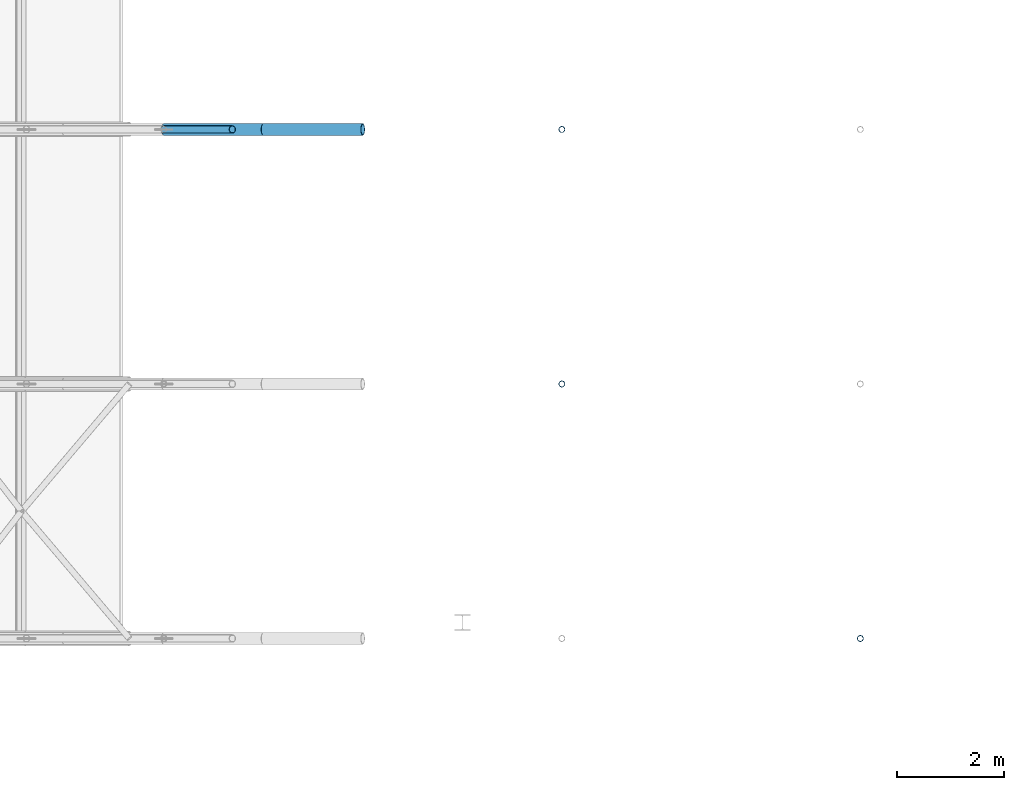
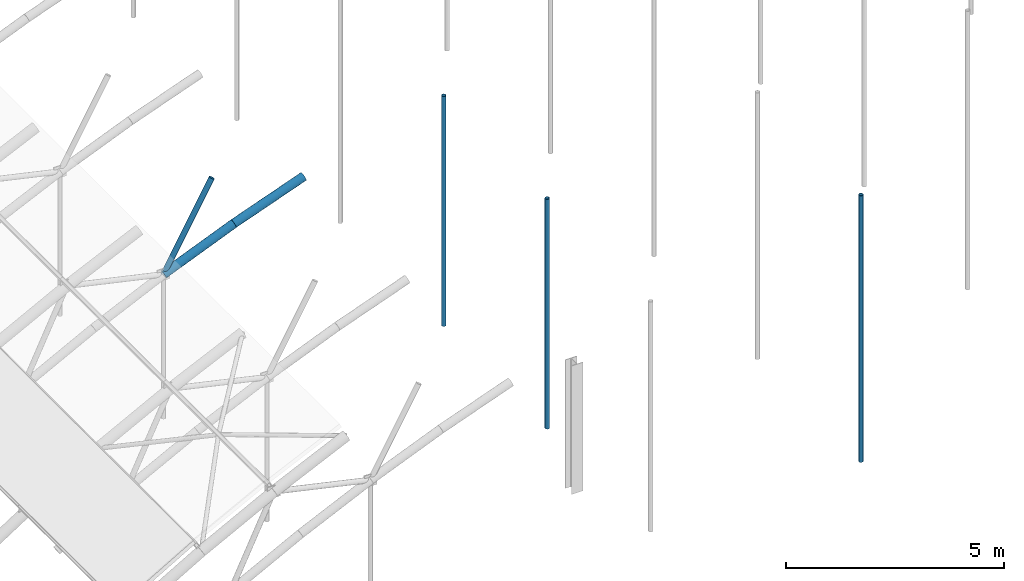
# One storey, part 8 of 50: 6 members.
"""IFC4 building model written with IfcOpenShell, lengths in metres."""

import ifcopenshell
import ifcopenshell.guid

model = None  # the IFC model being written
_history = None  # IfcOwnerHistory: only IFC2X3 demands one
_inside = {}  # id of a spatial element -> (the spatial element, [elements in it])
_under = {}  # id of a project, library or spatial element -> (it, [spatial elements below it])
_declared = {}  # id of a project -> (the project, [libraries it declares])
_typed = {}  # id of a type object -> (the type object, [elements of that type])
_made_of = {}  # id of a material, layer set ... -> (it, [elements and type objects made of it])


def new_model(schema):
    """Start an empty IFC model of exactly this schema.

    Asked for "IFC4X3", IfcOpenShell would pick the latest addendum, in which some entities
    have other attributes; the version numbers below select the first issue.
    IFC2X3 requires an IfcOwnerHistory on every rooted entity: one is made here for all.
    """
    global model, _history
    if schema == "IFC4X3":
        model = ifcopenshell.file(schema_version=(4, 3, 0, 0))
    else:
        model = ifcopenshell.file(schema=schema)
    _inside.clear()
    _under.clear()
    _declared.clear()
    _typed.clear()
    _made_of.clear()
    _history = None
    if model.schema == "IFC2X3":
        org = make("IfcOrganization", Name="unknown")
        user = make(
            "IfcPersonAndOrganization",
            ThePerson=make("IfcPerson", FamilyName="unknown"),
            TheOrganization=org,
        )
        app = make(
            "IfcApplication",
            ApplicationDeveloper=org,
            Version="unknown",
            ApplicationFullName="unknown",
            ApplicationIdentifier="unknown",
        )
        _history = make(
            "IfcOwnerHistory",
            OwningUser=user,
            OwningApplication=app,
            ChangeAction="ADDED",
            CreationDate=0,
        )
    return model


def make(cls, **values):
    """One entity of the class cls with the attributes given. An attribute that is None is left unset."""
    return model.create_entity(
        cls, **{name: value for name, value in values.items() if value is not None}
    )


def rooted(cls, **values):
    """An entity with a GlobalId (a new one), such as an element, a storey or a relation."""
    return make(cls, GlobalId=ifcopenshell.guid.new(), OwnerHistory=_history, **values)


def si_unit(unit_type, name, prefix=None):
    """IfcSIUnit, for example si_unit("LENGTHUNIT", "METRE", prefix="MILLI")."""
    return make("IfcSIUnit", UnitType=unit_type, Prefix=prefix, Name=name)


def assignment(units):
    """IfcUnitAssignment: the units of a project."""
    return None if units is None else make("IfcUnitAssignment", Units=units)


def point(xyz):
    """IfcCartesianPoint."""
    return None if xyz is None else make("IfcCartesianPoint", Coordinates=xyz)


def direction(xyz):
    """IfcDirection."""
    return None if xyz is None else make("IfcDirection", DirectionRatios=xyz)


def frame(location, z_axis=None, x_axis=None):
    """IfcAxis2Placement3D, a coordinate frame: its origin and axes. An axis left out is left unset."""
    return make(
        "IfcAxis2Placement3D",
        Location=point(location),
        Axis=direction(z_axis),
        RefDirection=direction(x_axis),
    )


def frame_2d(location, x_axis=None):
    """IfcAxis2Placement2D, a coordinate frame in the plane: its origin and x axis."""
    return make(
        "IfcAxis2Placement2D", Location=point(location), RefDirection=direction(x_axis)
    )


def origin():
    """The frame at (0, 0, 0) with its axes left unset."""
    return frame((0.0, 0.0, 0.0))


def origin_2d():
    """The frame at (0, 0) in the plane with its x axis left unset."""
    return frame_2d((0.0, 0.0))


def place(relative_to, where):
    """IfcLocalPlacement: puts the frame where relative to a parent placement (None: the world)."""
    return make(
        "IfcLocalPlacement", PlacementRelTo=relative_to, RelativePlacement=where
    )


def context(
    kind, dimensions, precision=None, world=None, true_north=None, identifier=None
):
    """IfcGeometricRepresentationContext, for example the 3D "Model" context."""
    return make(
        "IfcGeometricRepresentationContext",
        ContextIdentifier=identifier,
        ContextType=kind,
        CoordinateSpaceDimension=dimensions,
        Precision=precision,
        WorldCoordinateSystem=world,
        TrueNorth=true_north,
    )


def subcontext(parent, identifier, kind, view, scale=None):
    """IfcGeometricRepresentationSubContext, for example "Body" below "Model"."""
    return make(
        "IfcGeometricRepresentationSubContext",
        ContextIdentifier=identifier,
        ContextType=kind,
        ParentContext=parent,
        TargetScale=scale,
        TargetView=view,
    )


def project(units=None, contexts=None):
    """IfcProject with its units and contexts."""
    return rooted(
        "IfcProject",
        Name="project",
        RepresentationContexts=contexts,
        UnitsInContext=assignment(units),
    )


def spatial(cls, under=None, at=None, **own):
    """A site, building, storey or space (cls), placed at a placement, below another one or the project."""
    s = rooted(cls, ObjectPlacement=at, **own)
    if under is not None:
        _under.setdefault(under.id(), (under, []))[1].append(s)
    return s


def profile(cls, at=None, kind="AREA", **sizes):
    """A parametric profile (cls). Its sizes go by their IFC names, for example OverallWidth=200.0."""
    return make(cls, ProfileType=kind, Position=at, **sizes)


def hollow_circle(**sizes):
    """IfcCircleHollowProfileDef."""
    return profile("IfcCircleHollowProfileDef", **sizes)


def extrude(swept, where, along, depth):
    """IfcExtrudedAreaSolid: the profile swept, set in the frame where, extruded along a direction by depth."""
    return make(
        "IfcExtrudedAreaSolid",
        SweptArea=swept,
        Position=where,
        ExtrudedDirection=direction(along),
        Depth=depth,
    )


def shape(context_of_items, identifier, shape_type, items):
    """IfcShapeRepresentation: the items that make up one representation, for example the "Body"."""
    return make(
        "IfcShapeRepresentation",
        ContextOfItems=context_of_items,
        RepresentationIdentifier=identifier,
        RepresentationType=shape_type,
        Items=items,
    )


def material(Name=None, Category=None):
    """IfcMaterial."""
    return make("IfcMaterial", Name=Name, Category=Category)


def material_profile(
    of_material, cross_section, Name=None, Category=None, Priority=None
):
    """IfcMaterialProfile: a cross section and its material."""
    return make(
        "IfcMaterialProfile",
        Name=Name,
        Material=of_material,
        Profile=cross_section,
        Priority=Priority,
        Category=Category,
    )


def profile_set(profiles, Name=None, composite=None):
    """IfcMaterialProfileSet."""
    return make(
        "IfcMaterialProfileSet",
        Name=Name,
        MaterialProfiles=profiles,
        CompositeProfile=composite,
    )


def made_of(thing, what):
    """Note that an element or type object is made of a material, layer set ...; save() writes the relation."""
    if what is not None:
        _made_of.setdefault(what.id(), (what, []))[1].append(thing)
    return thing


def type_object(cls, material=None, **own):
    """A type object (cls), such as IfcWallType, which elements share."""
    return made_of(rooted(cls, **own), material)


def element(
    cls,
    number,
    at=None,
    inside=None,
    cuts=None,
    type_object=None,
    material=None,
    context=None,
    identifier="Body",
    shape_type=None,
    held_by="IfcProductDefinitionShape",
    body=None,
    shapes=None,
    **own,
):
    """One element of the class cls, such as IfcWall. Its Tag is "e" and its number.

    at: its placement. inside: the storey or other place that contains it. cuts: it is an
    opening in that element (IfcRelVoidsElement). A single representation is given by context,
    identifier, shape_type and body (its items); several are given by shapes. held_by: the class
    of the entity that holds the representations. save() writes the other relations.
    """
    e = rooted(cls, Tag="e%d" % number, ObjectPlacement=at, **own)
    if body is not None:
        shapes = [shape(context, identifier, shape_type, body)]
    if shapes is not None:
        e.Representation = make(held_by, Representations=shapes)
    if inside is not None:
        _inside.setdefault(inside.id(), (inside, []))[1].append(e)
    if cuts is not None:
        rooted(
            "IfcRelVoidsElement", RelatingBuildingElement=cuts, RelatedOpeningElement=e
        )
    if type_object is not None:
        _typed.setdefault(type_object.id(), (type_object, []))[1].append(e)
    return made_of(e, material)


def aggregate(whole, parts):
    """IfcRelAggregates: a whole, such as a stair, and the parts it consists of."""
    return rooted("IfcRelAggregates", RelatingObject=whole, RelatedObjects=parts)


def save(model, path):
    """Write the relations noted so far, then the file.

    IfcRelAggregates (storeys below a building ...), IfcRelContainedInSpatialStructure (elements
    in a storey), IfcRelDefinesByType, IfcRelAssociatesMaterial and IfcRelDeclares: one each for
    every whole, place, type object, material and project.
    """
    for whole, parts in _under.values():
        aggregate(whole, parts)
    for where, things in _inside.values():
        rooted(
            "IfcRelContainedInSpatialStructure",
            RelatedElements=things,
            RelatingStructure=where,
        )
    for kind, things in _typed.values():
        rooted("IfcRelDefinesByType", RelatedObjects=things, RelatingType=kind)
    for what, things in _made_of.values():
        rooted("IfcRelAssociatesMaterial", RelatedObjects=things, RelatingMaterial=what)
    for by, libraries in _declared.values():
        rooted("IfcRelDeclares", RelatingContext=by, RelatedDefinitions=libraries)
    model.write(path)


model = new_model("IFC4")

# Units and contexts
model_context = context("Model", 3, precision=1e-05, world=origin(), true_north=direction((0.0, 1.0)))
body_context = subcontext(model_context, "Body", "Model", "MODEL_VIEW")
ifc_project = project(units=[si_unit("LENGTHUNIT", "METRE"), si_unit("AREAUNIT", "SQUARE_METRE"), si_unit("VOLUMEUNIT", "CUBIC_METRE"), si_unit("PLANEANGLEUNIT", "RADIAN"), si_unit("MASSUNIT", "GRAM", prefix="KILO")], contexts=[model_context])

# Site, building, storey
site_placement = place(None, origin())
site = spatial("IfcSite", under=ifc_project, at=site_placement, CompositionType="ELEMENT")
building_placement = place(site_placement, origin())
building = spatial("IfcBuilding", under=site, at=building_placement, Name="Elbe Cascade School", CompositionType="ELEMENT")
storey_placement = place(building_placement, frame((0.0, 0.0, 15.300048828125)))
storey = spatial("IfcBuildingStorey", under=building, at=storey_placement, Name="L04", CompositionType="ELEMENT", Elevation=15.300048828125)

# Members
ifc_material_1 = material(Name="Steel S355J2H", Category="steel")
ifc_material_profile_1 = material_profile(ifc_material_1, hollow_circle(Radius=0.109619140625, WallThickness=0.012451171875, at=origin_2d()), Name="CHS 219.1x12.5")
ifc_profile_set_1 = profile_set([ifc_material_profile_1], Name="Steel S355J2H")
member_type_1 = type_object("IfcMemberType", Name="Hall rib bottom chord CHS 219.1x12.5", PredefinedType="CHORD", material=ifc_profile_set_1)
member_1_placement = place(storey_placement, frame((15.428466796875, 50.5, 2.399658203125), z_axis=(0.924348085413, 0.0, 0.381550281083), x_axis=(0.0, 1.0, 0.0)))
element("IfcMember", 1, at=member_1_placement, inside=storey, type_object=member_type_1, Name="Hall rib bottom chord CHS 219.1x12.5 M3", PredefinedType="CHORD", context=body_context, shape_type="SweptSolid", body=[
    extrude(hollow_circle(Radius=0.109619140625, WallThickness=0.012451171875, at=origin_2d()), origin(), (0.0, 0.0, 1.0), 2.00927734375),
])
member_2_placement = place(storey_placement, frame((17.28564453125, 50.5, 3.166259765625), z_axis=(0.939919624861, 0.0, 0.341395809582), x_axis=(0.0, 1.0, 0.0)))
element("IfcMember", 2, at=member_2_placement, inside=storey, type_object=member_type_1, Name="Hall rib bottom chord CHS 219.1x12.5 M3", PredefinedType="CHORD", context=body_context, shape_type="SweptSolid", body=[
    extrude(hollow_circle(Radius=0.109619140625, WallThickness=0.012451171875, at=origin_2d()), origin(), (0.0, 0.0, 1.0), 1.975830078125),
])
ifc_material_2 = material(Name="Steel S355J2H", Category="steel")
ifc_material_profile_2 = material_profile(ifc_material_2, hollow_circle(Radius=0.06982421875, WallThickness=0.008056640625, at=origin_2d()), Name="CHS 139.7x8")
ifc_profile_set_2 = profile_set([ifc_material_profile_2], Name="Steel S355J2H")
member_type_2 = type_object("IfcMemberType", Name="Hall rib web CHS 139.7x8", PredefinedType="BRACE", material=ifc_profile_set_2)
member_3_placement = place(storey_placement, frame((15.428466796875, 50.5, 2.399658203125), z_axis=(0.492822683539, 0.0, 0.870129761926), x_axis=(0.0, 1.0, 0.0)))
element("IfcMember", 3, at=member_3_placement, inside=storey, type_object=member_type_2, Name="Hall rib web CHS 139.7x8 M4", PredefinedType="BRACE", context=body_context, shape_type="SweptSolid", body=[
    extrude(hollow_circle(Radius=0.06982421875, WallThickness=0.008056640625, at=origin_2d()), origin(), (0.0, 0.0, 1.0), 2.595458984375),
])
ifc_material_3 = material(Name="Steel S355J2H", Category="steel")
ifc_material_profile_3 = material_profile(ifc_material_3, hollow_circle(Radius=0.05712890625, WallThickness=0.00634765625, at=origin_2d()), Name="CHS 114.3x6.3")
ifc_profile_set_3 = profile_set([ifc_material_profile_3], Name="Steel S355J2H")
member_type_3 = type_object("IfcMemberType", Name="Hall tie hanger CHS 114.3x6.3", PredefinedType="POST", material=ifc_profile_set_3)
member_4_placement = place(storey_placement, frame((28.428466796875, 41.0, -1.623779296875), z_axis=(0.0, 0.0, 1.0), x_axis=(1.0, 0.0, 0.0)))
element("IfcMember", 4, at=member_4_placement, inside=storey, type_object=member_type_3, Name="Hall tie hanger CHS 114.3x6.3 M7", PredefinedType="POST", context=body_context, shape_type="SweptSolid", body=[
    extrude(hollow_circle(Radius=0.05712890625, WallThickness=0.00634765625, at=origin_2d()), origin(), (0.0, 0.0, 1.0), 7.468505859375),
])
for number, where, z_axis, x_axis, name in (
    (5, (22.857177734375, 45.75, -1.623779296875), (0.0, 0.0, 1.0), (1.0, 0.0, 0.0), "Hall tie hanger CHS 114.3x6.3 M7"),
    (6, (22.857177734375, 50.5, -1.623779296875), (0.0, 0.0, 1.0), (1.0, 0.0, 0.0), "Hall tie hanger CHS 114.3x6.3 M7"),
):
    element("IfcMember", number, at=place(storey_placement, frame(where, z_axis=z_axis, x_axis=x_axis)), inside=storey, type_object=member_type_3, Name=name, PredefinedType="POST", context=body_context, shape_type="SweptSolid", body=[
        extrude(hollow_circle(Radius=0.05712890625, WallThickness=0.00634765625, at=origin_2d()), origin(), (0.0, 0.0, 1.0), 6.4404296875),
    ])

save(model, "model.ifc")
